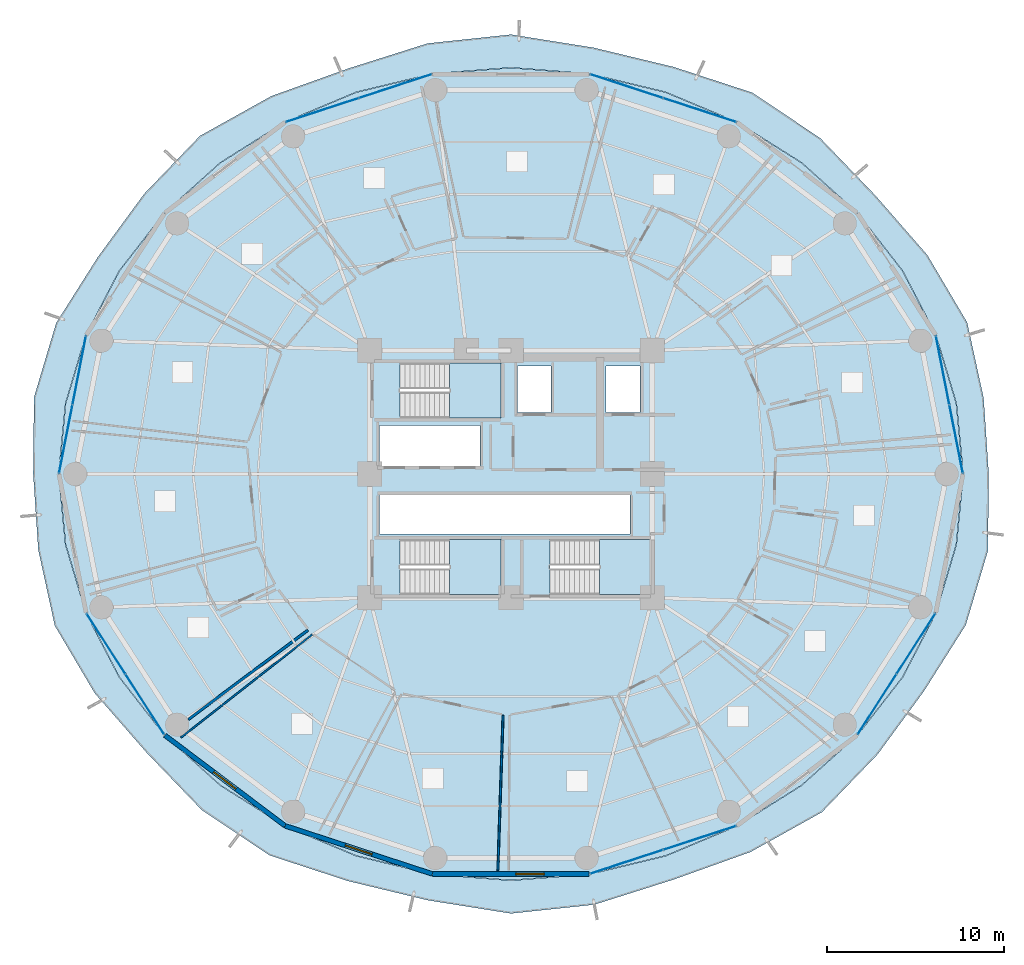
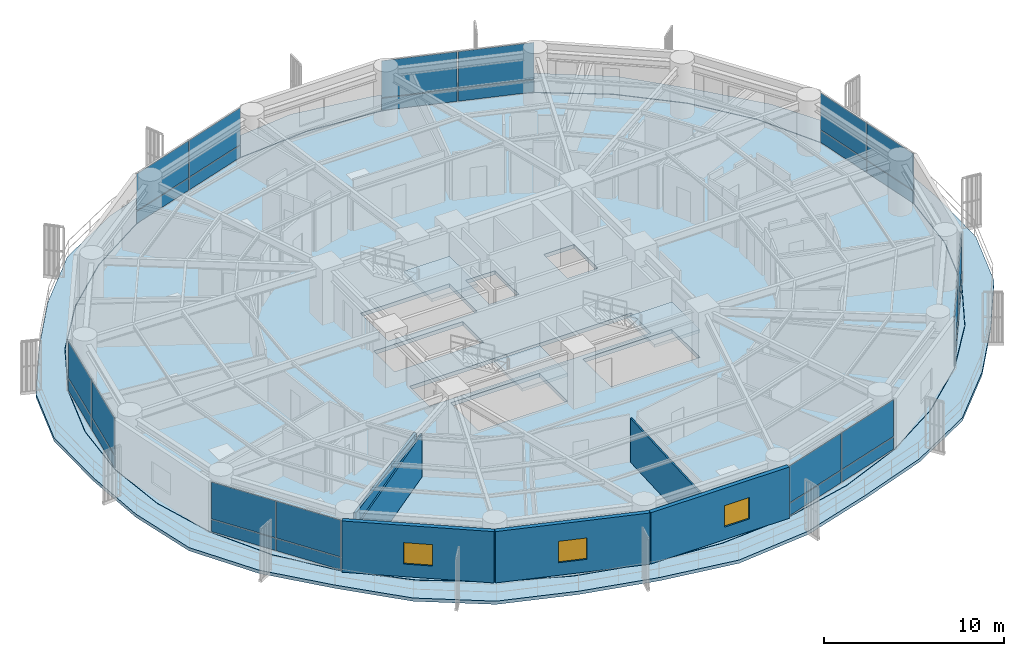
# One storey, part 26 of 36: 28 plates, 6 walls, 5 slabs, 3 windows, 3 openings, 10 elements without a shape of their own.
"""IFC4 building model written with IfcOpenShell, lengths in metres."""

from ifc_helpers import new_model, si_unit, direction, frame, frame_2d, origin, origin_2d, place, context, subcontext, project, spatial, polyline, rectangle, outline, extrude, source, transform, mapped, material, layer, layer_set, type_object, element, fill, aggregate, save


model = new_model("IFC4")

# Units and contexts
model_context = context("Model", 3, precision=1e-05, world=origin(), true_north=direction((0.0, 1.0)))
body_context = subcontext(model_context, "Body", "Model", "MODEL_VIEW")
ifc_project = project(units=[si_unit("LENGTHUNIT", "METRE"), si_unit("AREAUNIT", "SQUARE_METRE"), si_unit("VOLUMEUNIT", "CUBIC_METRE"), si_unit("PLANEANGLEUNIT", "RADIAN"), si_unit("MASSUNIT", "GRAM", prefix="KILO")], contexts=[model_context])

# Site, building, storey
site_placement = place(None, origin())
site = spatial("IfcSite", under=ifc_project, at=site_placement, CompositionType="ELEMENT")
building_placement = place(site_placement, origin())
building = spatial("IfcBuilding", under=site, at=building_placement, Name="Kelanora Arch Commons", CompositionType="ELEMENT")
storey_placement = place(building_placement, frame((0.0, 0.0, 98.85009765625)))
storey = spatial("IfcBuildingStorey", under=building, at=storey_placement, Name="L25", CompositionType="ELEMENT", Elevation=98.85009765625)

# Stair, slab
ifc_material_1 = material(Name="Concrete C40/50", Category="concrete")
stair_type = type_object("IfcStairType", Name="STR-DL-375", PredefinedType="HALF_TURN_STAIR", material=ifc_material_1)
stair_1_placement = place(storey_placement, origin())
stair_1 = element("IfcStair", 1, at=stair_1_placement, inside=storey, type_object=stair_type, Name="L25 ST-T1", PredefinedType="HALF_TURN_STAIR")
ifc_layer_1 = layer(ifc_material_1, 0.199951171875)
ifc_layer_set_1 = layer_set([ifc_layer_1], Name="Concrete C40/50")
slab_type_1 = type_object("IfcSlabType", Name="SLB-STAIR-LND", PredefinedType="LANDING", material=ifc_layer_set_1)
slab_1_placement = place(storey_placement, frame((0.0, 0.0, 1.6748046875)))
slab_1 = element("IfcSlab", 2, at=slab_1_placement, type_object=slab_type_1, Name="ST-T1 landing 1", PredefinedType="LANDING", context=body_context, shape_type="SweptSolid", body=[
    extrude(outline(polyline([(70.52001953125, 61.179931640625), (73.43994140625, 61.179931640625), (73.43994140625, 64.2900390625), (70.52001953125, 64.2900390625), (70.52001953125, 61.179931640625)])), origin(), (0.0, 0.0, 1.0), 0.2001953125),
])
aggregate(stair_1, [slab_1])

stair_2_placement = place(storey_placement, origin())
stair_2 = element("IfcStair", 3, at=stair_2_placement, inside=storey, type_object=stair_type, Name="L25 ST-T2", PredefinedType="HALF_TURN_STAIR")
slab_2_placement = place(storey_placement, frame((0.0, 0.0, 1.6748046875)))
slab_2 = element("IfcSlab", 4, at=slab_2_placement, type_object=slab_type_1, Name="ST-T2 landing 1", PredefinedType="LANDING", context=body_context, shape_type="SweptSolid", body=[
    extrude(outline(polyline([(79.0, 51.179931640625), (81.919921875, 51.179931640625), (81.919921875, 54.2900390625), (79.0, 54.2900390625), (79.0, 51.179931640625)])), origin(), (0.0, 0.0, 1.0), 0.2001953125),
])
aggregate(stair_2, [slab_2])

stair_3_placement = place(storey_placement, origin())
stair_3 = element("IfcStair", 5, at=stair_3_placement, inside=storey, type_object=stair_type, Name="L25 ST-T3", PredefinedType="HALF_TURN_STAIR")
slab_3_placement = place(storey_placement, frame((0.0, 0.0, 1.6748046875)))
slab_3 = element("IfcSlab", 6, at=slab_3_placement, type_object=slab_type_1, Name="ST-T3 landing 1", PredefinedType="LANDING", context=body_context, shape_type="SweptSolid", body=[
    extrude(outline(polyline([(70.52001953125, 51.179931640625), (73.43994140625, 51.179931640625), (73.43994140625, 54.2900390625), (70.52001953125, 54.2900390625), (70.52001953125, 51.179931640625)])), origin(), (0.0, 0.0, 1.0), 0.2001953125),
])
aggregate(stair_3, [slab_3])

# Slabs
ifc_layer_2 = layer(ifc_material_1, 0.260009765625)
ifc_layer_set_2 = layer_set([ifc_layer_2], Name="Concrete C40/50")
slab_type_2 = type_object("IfcSlabType", Name="SLB-TWR-TYP", PredefinedType="FLOOR", material=ifc_layer_set_2)
slab_4_placement = place(storey_placement, frame((0.0, 0.0, -0.260009765625)))
element("IfcSlab", 7, at=slab_4_placement, inside=storey, type_object=slab_type_2, Name="Tower Floor Slab L25", PredefinedType="FLOOR", context=body_context, shape_type="SweptSolid", body=[
    extrude(outline(polyline([(99.60009765625, 58.0), (99.211181640625, 61.993896484375), (98.05615234375, 65.866455078125), (96.17041015625, 69.5), (93.610595703125, 72.7841796875), (90.455322265625, 75.618896484375), (86.800048828125, 77.918701171875), (82.755615234375, 79.61279296875), (78.4453125, 80.650634765625), (74.0, 81.0), (69.5546875, 80.650634765625), (65.244384765625, 79.61279296875), (61.199951171875, 77.918701171875), (57.544677734375, 75.618896484375), (54.389404296875, 72.7841796875), (51.82958984375, 69.5), (49.94384765625, 65.866455078125), (48.788818359375, 61.993896484375), (48.39990234375, 58.0), (48.788818359375, 54.006103515625), (49.94384765625, 50.133544921875), (51.82958984375, 46.5), (54.389404296875, 43.2158203125), (57.544677734375, 40.381103515625), (61.199951171875, 38.081298828125), (65.244384765625, 36.38720703125), (69.5546875, 35.349365234375), (74.0, 35.0), (78.4453125, 35.349365234375), (82.755615234375, 36.38720703125), (86.800048828125, 38.081298828125), (90.455322265625, 40.381103515625), (93.610595703125, 43.2158203125), (96.17041015625, 46.5), (98.05615234375, 50.133544921875), (99.211181640625, 54.006103515625), (99.60009765625, 58.0)]), holes=[polyline([(73.431884765625, 51.18798828125), (67.72802734375, 51.18798828125), (67.72802734375, 54.281982421875), (73.431884765625, 54.281982421875), (73.431884765625, 51.18798828125)]), polyline([(76.2080078125, 51.18798828125), (76.2080078125, 54.281982421875), (81.912109375, 54.281982421875), (81.912109375, 51.18798828125), (76.2080078125, 51.18798828125)]), polyline([(66.550048828125, 54.60009765625), (66.550048828125, 56.800048828125), (80.75, 56.800048828125), (80.75, 54.60009765625), (66.550048828125, 54.60009765625)]), polyline([(66.550048828125, 58.449951171875), (66.550048828125, 60.75), (72.25, 60.75), (72.25, 58.449951171875), (66.550048828125, 58.449951171875)]), polyline([(67.72802734375, 61.18798828125), (67.72802734375, 64.281982421875), (73.431884765625, 64.281982421875), (73.431884765625, 61.18798828125), (67.72802734375, 61.18798828125)]), polyline([(74.3798828125, 61.47998046875), (74.3798828125, 64.1201171875), (76.260009765625, 64.1201171875), (76.260009765625, 61.47998046875), (74.3798828125, 61.47998046875)]), polyline([(79.3798828125, 61.47998046875), (79.3798828125, 64.1201171875), (81.320068359375, 64.1201171875), (81.320068359375, 61.47998046875), (79.3798828125, 61.47998046875)])]), origin(), (0.0, 0.0, 1.0), 0.260009765625),
])
ifc_layer_3 = layer(ifc_material_1, 0.219970703125)
ifc_layer_set_3 = layer_set([ifc_layer_3], Name="Concrete C40/50")
slab_type_3 = type_object("IfcSlabType", Name="SLB-WAVE-BAL", PredefinedType="FLOOR", material=ifc_layer_set_3)
slab_5_placement = place(storey_placement, frame((0.0, 0.0, -0.22021484375)))
element("IfcSlab", 8, at=slab_5_placement, inside=storey, type_object=slab_type_3, Name="Sinusoidal Wave Balcony Slab L25", PredefinedType="FLOOR", context=body_context, shape_type="SweptSolid", body=[
    extrude(outline(polyline([(101.054931640625, 58.0), (100.767333984375, 62.29931640625), (99.83349609375, 66.58642578125), (97.576416015625, 70.40380859375), (94.65234375, 73.757080078125), (91.51318359375, 77.02197265625), (87.66943359375, 79.594482421875), (83.225341796875, 81.048828125), (78.681884765625, 82.142822265625), (74.0, 82.887939453125), (69.27978515625, 82.385986328125), (64.80126953125, 80.9677734375), (60.430419921875, 79.40234375), (56.39013671875, 77.150390625), (53.22998046875, 73.86669921875), (50.605712890625, 70.28662109375), (48.24560546875, 66.554443359375), (46.990966796875, 62.3466796875), (46.945068359375, 58.0), (47.232666015625, 53.70068359375), (48.16650390625, 49.41357421875), (50.423583984375, 45.59619140625), (53.34765625, 42.242919921875), (56.48681640625, 38.97802734375), (60.33056640625, 36.405517578125), (64.774658203125, 34.951171875), (69.318115234375, 33.857177734375), (74.0, 33.112060546875), (78.72021484375, 33.614013671875), (83.19873046875, 35.0322265625), (87.569580078125, 36.59765625), (91.60986328125, 38.849609375), (94.77001953125, 42.13330078125), (97.394287109375, 45.71337890625), (99.75439453125, 49.445556640625), (101.009033203125, 53.6533203125), (101.054931640625, 58.0)]), holes=[polyline([(99.230712890625, 54.002685546875), (98.074951171875, 50.126708984375), (96.1875, 46.489990234375), (93.626220703125, 43.202880859375), (90.46826171875, 40.36572265625), (86.81005859375, 38.064208984375), (82.7626953125, 36.368408203125), (78.448974609375, 35.32958984375), (74.0, 34.97998046875), (69.551025390625, 35.32958984375), (65.2373046875, 36.368408203125), (61.18994140625, 38.064208984375), (57.53173828125, 40.36572265625), (54.373779296875, 43.202880859375), (51.8125, 46.489990234375), (49.925048828125, 50.126708984375), (48.769287109375, 54.002685546875), (48.3798828125, 58.0), (48.769287109375, 61.997314453125), (49.925048828125, 65.873291015625), (51.8125, 69.510009765625), (54.373779296875, 72.797119140625), (57.53173828125, 75.63427734375), (61.18994140625, 77.935791015625), (65.2373046875, 79.631591796875), (69.551025390625, 80.67041015625), (74.0, 81.02001953125), (78.448974609375, 80.67041015625), (82.7626953125, 79.631591796875), (86.81005859375, 77.935791015625), (90.46826171875, 75.63427734375), (93.626220703125, 72.797119140625), (96.1875, 69.510009765625), (98.074951171875, 65.873291015625), (99.230712890625, 61.997314453125), (99.6201171875, 58.0), (99.230712890625, 54.002685546875)])]), origin(), (0.0, 0.0, 1.0), 0.22021484375),
])

# Curtain wall, plates
ifc_material_2 = material(Name="Terracotta ceramic-fritted low-E glass and aluminium", Category="masonry")
ifc_layer_4 = layer(ifc_material_2, 0.159912109375)
ifc_layer_set_4 = layer_set([ifc_layer_4], Name="Terracotta ceramic-fritted low-E glass and aluminium")
curtain_wall_type = type_object("IfcCurtainWallType", Name="CW-SYS-01", PredefinedType="NOTDEFINED", material=ifc_layer_set_4)
curtain_wall_1_placement = place(storey_placement, origin())
curtain_wall_1 = element("IfcCurtainWall", 9, at=curtain_wall_1_placement, inside=storey, type_object=curtain_wall_type, Name="Unitised Curtain Wall L25-B00", PredefinedType="NOTDEFINED")
ifc_material_3 = material(Name="Terracotta ceramic-fritted double glazing", Category="masonry")
ifc_layer_5 = layer(ifc_material_3, 0.028076171875)
ifc_layer_set_5 = layer_set([ifc_layer_5], Name="Terracotta ceramic-fritted double glazing")
plate_type = type_object("IfcPlateType", Name="CWP-FRIT", PredefinedType="CURTAIN_PANEL", material=ifc_layer_set_5)
shared_shape_1 = source(origin(), body_context, "Body", "SweptSolid", [
    extrude(rectangle(XDim=3.9033203125, YDim=0.028076171875, at=origin_2d()), origin(), (0.0, 0.0, 1.0), 0.81005859375),
])
plate_1_placement = place(storey_placement, frame((99.209716796875, 59.98876953125, 0.059814453125), z_axis=(0.0, 0.0, 1.0), x_axis=(-0.192584916272, 0.981280311646, 0.0)))
plate_1 = element("IfcPlate", 10, at=plate_1_placement, type_object=plate_type, Name="CW-01 panel 1.1", PredefinedType="CURTAIN_PANEL", context=body_context, shape_type="MappedRepresentation", body=[
    mapped(shared_shape_1, transform((0.0, 0.0, 0.0), scale=1.0)),
])
plate_2_placement = place(storey_placement, frame((98.446533203125, 63.877685546875, 0.059814453125), z_axis=(0.0, 0.0, 1.0), x_axis=(-0.192584916272, 0.981280311646, 0.0)))
plate_2 = element("IfcPlate", 11, at=plate_2_placement, type_object=plate_type, Name="CW-01 panel 2.1", PredefinedType="CURTAIN_PANEL", context=body_context, shape_type="MappedRepresentation", body=[
    mapped(shared_shape_1, transform((0.0, 0.0, 0.0), scale=1.0)),
])

curtain_wall_2_placement = place(storey_placement, origin())
curtain_wall_2 = element("IfcCurtainWall", 12, at=curtain_wall_2_placement, inside=storey, type_object=curtain_wall_type, Name="Unitised Curtain Wall L25-B08", PredefinedType="NOTDEFINED")
plate_3_placement = place(storey_placement, frame((49.553466796875, 63.877685546875, 0.059814453125), z_axis=(0.0, 0.0, 1.0), x_axis=(-0.192584916272, -0.981280311646, 0.0)))
plate_3 = element("IfcPlate", 13, at=plate_3_placement, type_object=plate_type, Name="CW-01 panel 1.1", PredefinedType="CURTAIN_PANEL", context=body_context, shape_type="MappedRepresentation", body=[
    mapped(shared_shape_1, transform((0.0, 0.0, 0.0), scale=1.0)),
])
plate_4_placement = place(storey_placement, frame((48.790283203125, 59.98876953125, 0.059814453125), z_axis=(0.0, 0.0, 1.0), x_axis=(-0.192584916272, -0.981280311646, 0.0)))
plate_4 = element("IfcPlate", 14, at=plate_4_placement, type_object=plate_type, Name="CW-01 panel 2.1", PredefinedType="CURTAIN_PANEL", context=body_context, shape_type="MappedRepresentation", body=[
    mapped(shared_shape_1, transform((0.0, 0.0, 0.0), scale=1.0)),
])

# Plate
shared_shape_2 = source(origin(), body_context, "Body", "SweptSolid", [
    extrude(rectangle(XDim=3.9033203125, YDim=0.028076171875, at=origin_2d()), origin(), (0.0, 0.0, 1.0), 2.485107421875),
])
plate_5_placement = place(storey_placement, frame((99.209716796875, 59.98876953125, 0.9296875), z_axis=(0.0, 0.0, 1.0), x_axis=(-0.192584916272, 0.981280311646, 0.0)))
plate_5 = element("IfcPlate", 15, at=plate_5_placement, type_object=plate_type, Name="CW-01 panel 1.2", PredefinedType="CURTAIN_PANEL", context=body_context, shape_type="MappedRepresentation", body=[
    mapped(shared_shape_2, transform((0.0, 0.0, 0.0), scale=1.0)),
])

plate_6_placement = place(storey_placement, frame((98.446533203125, 63.877685546875, 0.9296875), z_axis=(0.0, 0.0, 1.0), x_axis=(-0.192584916272, 0.981280311646, 0.0)))
plate_6 = element("IfcPlate", 16, at=plate_6_placement, type_object=plate_type, Name="CW-01 panel 2.2", PredefinedType="CURTAIN_PANEL", context=body_context, shape_type="MappedRepresentation", body=[
    mapped(shared_shape_2, transform((0.0, 0.0, 0.0), scale=1.0)),
])

aggregate(curtain_wall_1, [plate_1, plate_5, plate_2, plate_6])

plate_7_placement = place(storey_placement, frame((49.553466796875, 63.877685546875, 0.9296875), z_axis=(0.0, 0.0, 1.0), x_axis=(-0.192584916272, -0.981280311646, 0.0)))
plate_7 = element("IfcPlate", 17, at=plate_7_placement, type_object=plate_type, Name="CW-01 panel 1.2", PredefinedType="CURTAIN_PANEL", context=body_context, shape_type="MappedRepresentation", body=[
    mapped(shared_shape_2, transform((0.0, 0.0, 0.0), scale=1.0)),
])

plate_8_placement = place(storey_placement, frame((48.790283203125, 59.98876953125, 0.9296875), z_axis=(0.0, 0.0, 1.0), x_axis=(-0.192584916272, -0.981280311646, 0.0)))
plate_8 = element("IfcPlate", 18, at=plate_8_placement, type_object=plate_type, Name="CW-01 panel 2.2", PredefinedType="CURTAIN_PANEL", context=body_context, shape_type="MappedRepresentation", body=[
    mapped(shared_shape_2, transform((0.0, 0.0, 0.0), scale=1.0)),
])

aggregate(curtain_wall_2, [plate_3, plate_7, plate_4, plate_8])

# Curtain wall, plates
curtain_wall_3_placement = place(storey_placement, origin())
curtain_wall_3 = element("IfcCurtainWall", 19, at=curtain_wall_3_placement, inside=storey, type_object=curtain_wall_type, Name="Unitised Curtain Wall L25-B03", PredefinedType="NOTDEFINED")
shared_shape_3 = source(origin(), body_context, "Body", "SweptSolid", [
    extrude(rectangle(XDim=4.2900390625, YDim=0.028076171875, at=origin_2d()), origin(), (0.0, 0.0, 1.0), 0.81005859375),
])
plate_9_placement = place(storey_placement, frame((84.68994140625, 78.608642578125, 0.059814453125), z_axis=(0.0, 0.0, 1.0), x_axis=(-0.950473795867, 0.31080470294, 0.0)))
plate_9 = element("IfcPlate", 20, at=plate_9_placement, type_object=plate_type, Name="CW-01 panel 1.1", PredefinedType="CURTAIN_PANEL", context=body_context, shape_type="MappedRepresentation", body=[
    mapped(shared_shape_3, transform((0.0, 0.0, 0.0), scale=1.0)),
])
plate_10_placement = place(storey_placement, frame((80.555419921875, 79.960693359375, 0.059814453125), z_axis=(0.0, 0.0, 1.0), x_axis=(-0.950473795867, 0.31080470294, 0.0)))
plate_10 = element("IfcPlate", 21, at=plate_10_placement, type_object=plate_type, Name="CW-01 panel 2.1", PredefinedType="CURTAIN_PANEL", context=body_context, shape_type="MappedRepresentation", body=[
    mapped(shared_shape_3, transform((0.0, 0.0, 0.0), scale=1.0)),
])

curtain_wall_4_placement = place(storey_placement, origin())
curtain_wall_4 = element("IfcCurtainWall", 22, at=curtain_wall_4_placement, inside=storey, type_object=curtain_wall_type, Name="Unitised Curtain Wall L25-B05", PredefinedType="NOTDEFINED")
plate_11_placement = place(storey_placement, frame((67.444580078125, 79.960693359375, 0.059814453125), z_axis=(0.0, 0.0, 1.0), x_axis=(-0.950473795867, -0.31080470294, 0.0)))
plate_11 = element("IfcPlate", 23, at=plate_11_placement, type_object=plate_type, Name="CW-01 panel 1.1", PredefinedType="CURTAIN_PANEL", context=body_context, shape_type="MappedRepresentation", body=[
    mapped(shared_shape_3, transform((0.0, 0.0, 0.0), scale=1.0)),
])
plate_12_placement = place(storey_placement, frame((63.31005859375, 78.608642578125, 0.059814453125), z_axis=(0.0, 0.0, 1.0), x_axis=(-0.950473795867, -0.31080470294, 0.0)))
plate_12 = element("IfcPlate", 24, at=plate_12_placement, type_object=plate_type, Name="CW-01 panel 2.1", PredefinedType="CURTAIN_PANEL", context=body_context, shape_type="MappedRepresentation", body=[
    mapped(shared_shape_3, transform((0.0, 0.0, 0.0), scale=1.0)),
])

curtain_wall_5_placement = place(storey_placement, origin())
curtain_wall_5 = element("IfcCurtainWall", 25, at=curtain_wall_5_placement, inside=storey, type_object=curtain_wall_type, Name="Unitised Curtain Wall L25-B14", PredefinedType="NOTDEFINED")
plate_13_placement = place(storey_placement, frame((80.555419921875, 36.039306640625, 0.059814453125), z_axis=(0.0, 0.0, 1.0), x_axis=(0.950473795867, 0.31080470294, 0.0)))
plate_13 = element("IfcPlate", 26, at=plate_13_placement, type_object=plate_type, Name="CW-01 panel 1.1", PredefinedType="CURTAIN_PANEL", context=body_context, shape_type="MappedRepresentation", body=[
    mapped(shared_shape_3, transform((0.0, 0.0, 0.0), scale=1.0)),
])
plate_14_placement = place(storey_placement, frame((84.68994140625, 37.391357421875, 0.059814453125), z_axis=(0.0, 0.0, 1.0), x_axis=(0.950473795867, 0.31080470294, 0.0)))
plate_14 = element("IfcPlate", 27, at=plate_14_placement, type_object=plate_type, Name="CW-01 panel 2.1", PredefinedType="CURTAIN_PANEL", context=body_context, shape_type="MappedRepresentation", body=[
    mapped(shared_shape_3, transform((0.0, 0.0, 0.0), scale=1.0)),
])

# Plate
shared_shape_4 = source(origin(), body_context, "Body", "SweptSolid", [
    extrude(rectangle(XDim=4.2900390625, YDim=0.028076171875, at=origin_2d()), origin(), (0.0, 0.0, 1.0), 2.485107421875),
])
plate_15_placement = place(storey_placement, frame((84.68994140625, 78.608642578125, 0.9296875), z_axis=(0.0, 0.0, 1.0), x_axis=(-0.950473795867, 0.31080470294, 0.0)))
plate_15 = element("IfcPlate", 28, at=plate_15_placement, type_object=plate_type, Name="CW-01 panel 1.2", PredefinedType="CURTAIN_PANEL", context=body_context, shape_type="MappedRepresentation", body=[
    mapped(shared_shape_4, transform((0.0, 0.0, 0.0), scale=1.0)),
])

plate_16_placement = place(storey_placement, frame((80.555419921875, 79.960693359375, 0.9296875), z_axis=(0.0, 0.0, 1.0), x_axis=(-0.950473795867, 0.31080470294, 0.0)))
plate_16 = element("IfcPlate", 29, at=plate_16_placement, type_object=plate_type, Name="CW-01 panel 2.2", PredefinedType="CURTAIN_PANEL", context=body_context, shape_type="MappedRepresentation", body=[
    mapped(shared_shape_4, transform((0.0, 0.0, 0.0), scale=1.0)),
])

aggregate(curtain_wall_3, [plate_9, plate_15, plate_10, plate_16])

plate_17_placement = place(storey_placement, frame((67.444580078125, 79.960693359375, 0.9296875), z_axis=(0.0, 0.0, 1.0), x_axis=(-0.950473795867, -0.31080470294, 0.0)))
plate_17 = element("IfcPlate", 30, at=plate_17_placement, type_object=plate_type, Name="CW-01 panel 1.2", PredefinedType="CURTAIN_PANEL", context=body_context, shape_type="MappedRepresentation", body=[
    mapped(shared_shape_4, transform((0.0, 0.0, 0.0), scale=1.0)),
])

plate_18_placement = place(storey_placement, frame((63.31005859375, 78.608642578125, 0.9296875), z_axis=(0.0, 0.0, 1.0), x_axis=(-0.950473795867, -0.31080470294, 0.0)))
plate_18 = element("IfcPlate", 31, at=plate_18_placement, type_object=plate_type, Name="CW-01 panel 2.2", PredefinedType="CURTAIN_PANEL", context=body_context, shape_type="MappedRepresentation", body=[
    mapped(shared_shape_4, transform((0.0, 0.0, 0.0), scale=1.0)),
])

aggregate(curtain_wall_4, [plate_11, plate_17, plate_12, plate_18])

plate_19_placement = place(storey_placement, frame((80.555419921875, 36.039306640625, 0.9296875), z_axis=(0.0, 0.0, 1.0), x_axis=(0.950473795867, 0.31080470294, 0.0)))
plate_19 = element("IfcPlate", 32, at=plate_19_placement, type_object=plate_type, Name="CW-01 panel 1.2", PredefinedType="CURTAIN_PANEL", context=body_context, shape_type="MappedRepresentation", body=[
    mapped(shared_shape_4, transform((0.0, 0.0, 0.0), scale=1.0)),
])

plate_20_placement = place(storey_placement, frame((84.68994140625, 37.391357421875, 0.9296875), z_axis=(0.0, 0.0, 1.0), x_axis=(0.950473795867, 0.31080470294, 0.0)))
plate_20 = element("IfcPlate", 33, at=plate_20_placement, type_object=plate_type, Name="CW-01 panel 2.2", PredefinedType="CURTAIN_PANEL", context=body_context, shape_type="MappedRepresentation", body=[
    mapped(shared_shape_4, transform((0.0, 0.0, 0.0), scale=1.0)),
])

aggregate(curtain_wall_5, [plate_13, plate_19, plate_14, plate_20])

# Curtain wall, plates
curtain_wall_6_placement = place(storey_placement, origin())
curtain_wall_6 = element("IfcCurtainWall", 34, at=curtain_wall_6_placement, inside=storey, type_object=curtain_wall_type, Name="Unitised Curtain Wall L25-B10", PredefinedType="NOTDEFINED")
shared_shape_5 = source(origin(), body_context, "Body", "SweptSolid", [
    extrude(rectangle(XDim=4.00634765625, YDim=0.028076171875, at=origin_2d()), origin(), (0.0, 0.0, 1.0), 0.81005859375),
])
plate_21_placement = place(storey_placement, frame((51.0673828125, 48.38525390625, 0.059814453125), z_axis=(0.0, 0.0, 1.0), x_axis=(0.540616931244, -0.841268883088, 0.0)))
plate_21 = element("IfcPlate", 35, at=plate_21_placement, type_object=plate_type, Name="CW-01 panel 1.1", PredefinedType="CURTAIN_PANEL", context=body_context, shape_type="MappedRepresentation", body=[
    mapped(shared_shape_5, transform((0.0, 0.0, 0.0), scale=1.0)),
])
plate_22_placement = place(storey_placement, frame((53.265869140625, 44.964111328125, 0.059814453125), z_axis=(0.0, 0.0, 1.0), x_axis=(0.540616931244, -0.841268883088, 0.0)))
plate_22 = element("IfcPlate", 36, at=plate_22_placement, type_object=plate_type, Name="CW-01 panel 2.1", PredefinedType="CURTAIN_PANEL", context=body_context, shape_type="MappedRepresentation", body=[
    mapped(shared_shape_5, transform((0.0, 0.0, 0.0), scale=1.0)),
])

curtain_wall_7_placement = place(storey_placement, origin())
curtain_wall_7 = element("IfcCurtainWall", 37, at=curtain_wall_7_placement, inside=storey, type_object=curtain_wall_type, Name="Unitised Curtain Wall L25-B16", PredefinedType="NOTDEFINED")
plate_23_placement = place(storey_placement, frame((94.734130859375, 44.964111328125, 0.059814453125), z_axis=(0.0, 0.0, 1.0), x_axis=(0.540616931244, 0.841268883088, 0.0)))
plate_23 = element("IfcPlate", 38, at=plate_23_placement, type_object=plate_type, Name="CW-01 panel 1.1", PredefinedType="CURTAIN_PANEL", context=body_context, shape_type="MappedRepresentation", body=[
    mapped(shared_shape_5, transform((0.0, 0.0, 0.0), scale=1.0)),
])
plate_24_placement = place(storey_placement, frame((96.9326171875, 48.38525390625, 0.059814453125), z_axis=(0.0, 0.0, 1.0), x_axis=(0.540616931244, 0.841268883088, 0.0)))
plate_24 = element("IfcPlate", 39, at=plate_24_placement, type_object=plate_type, Name="CW-01 panel 2.1", PredefinedType="CURTAIN_PANEL", context=body_context, shape_type="MappedRepresentation", body=[
    mapped(shared_shape_5, transform((0.0, 0.0, 0.0), scale=1.0)),
])

# Plate
shared_shape_6 = source(origin(), body_context, "Body", "SweptSolid", [
    extrude(rectangle(XDim=4.00634765625, YDim=0.028076171875, at=origin_2d()), origin(), (0.0, 0.0, 1.0), 2.485107421875),
])
plate_25_placement = place(storey_placement, frame((51.0673828125, 48.38525390625, 0.9296875), z_axis=(0.0, 0.0, 1.0), x_axis=(0.540616931244, -0.841268883088, 0.0)))
plate_25 = element("IfcPlate", 40, at=plate_25_placement, type_object=plate_type, Name="CW-01 panel 1.2", PredefinedType="CURTAIN_PANEL", context=body_context, shape_type="MappedRepresentation", body=[
    mapped(shared_shape_6, transform((0.0, 0.0, 0.0), scale=1.0)),
])

plate_26_placement = place(storey_placement, frame((53.265869140625, 44.964111328125, 0.9296875), z_axis=(0.0, 0.0, 1.0), x_axis=(0.540616931244, -0.841268883088, 0.0)))
plate_26 = element("IfcPlate", 41, at=plate_26_placement, type_object=plate_type, Name="CW-01 panel 2.2", PredefinedType="CURTAIN_PANEL", context=body_context, shape_type="MappedRepresentation", body=[
    mapped(shared_shape_6, transform((0.0, 0.0, 0.0), scale=1.0)),
])

aggregate(curtain_wall_6, [plate_21, plate_25, plate_22, plate_26])

plate_27_placement = place(storey_placement, frame((94.734130859375, 44.964111328125, 0.9296875), z_axis=(0.0, 0.0, 1.0), x_axis=(0.540616931244, 0.841268883088, 0.0)))
plate_27 = element("IfcPlate", 42, at=plate_27_placement, type_object=plate_type, Name="CW-01 panel 1.2", PredefinedType="CURTAIN_PANEL", context=body_context, shape_type="MappedRepresentation", body=[
    mapped(shared_shape_6, transform((0.0, 0.0, 0.0), scale=1.0)),
])

plate_28_placement = place(storey_placement, frame((96.9326171875, 48.38525390625, 0.9296875), z_axis=(0.0, 0.0, 1.0), x_axis=(0.540616931244, 0.841268883088, 0.0)))
plate_28 = element("IfcPlate", 43, at=plate_28_placement, type_object=plate_type, Name="CW-01 panel 2.2", PredefinedType="CURTAIN_PANEL", context=body_context, shape_type="MappedRepresentation", body=[
    mapped(shared_shape_6, transform((0.0, 0.0, 0.0), scale=1.0)),
])

aggregate(curtain_wall_7, [plate_23, plate_27, plate_24, plate_28])

# Wall
ifc_material_4 = material(Name="Autoclaved aerated concrete blockwork with fire plaster", Category="masonry")
ifc_layer_6 = layer(ifc_material_4, 0.14990234375)
ifc_layer_set_6 = layer_set([ifc_layer_6], Name="Autoclaved aerated concrete blockwork with fire plaster")
wall_type_1 = type_object("IfcWallType", Name="W-COMP-150", PredefinedType="PARTITIONING", material=ifc_layer_set_6)
wall_1_placement = place(storey_placement, frame((62.5048828125, 49.16015625, 0.0), z_axis=(0.0, 0.0, 1.0), x_axis=(-0.801231684565, -0.598354232582, 0.0)))
element("IfcWall", 44, at=wall_1_placement, inside=storey, type_object=wall_type_1, Name="Co-Living Studio L25-09 Enclosure Partition 2", PredefinedType="PARTITIONING", context=body_context, shape_type="SweptSolid", body=[
    extrude(rectangle(XDim=8.456298828125, YDim=0.14990234375, at=frame_2d((4.22802734375, 0.0))), origin(), (0.0, 0.0, 1.0), 2.9248046875),
])

# Wall, opening, window
ifc_material_5 = material(Name="Precast concrete C40/50 with terracotta rainscreen", Category="masonry")
ifc_layer_7 = layer(ifc_material_5, 0.260009765625)
ifc_layer_set_7 = layer_set([ifc_layer_7], Name="Precast concrete C40/50 with terracotta rainscreen")
wall_type_2 = type_object("IfcWallType", Name="W-EXT-TC", PredefinedType="SOLIDWALL", material=ifc_layer_set_7)
wall_2_placement = place(storey_placement, frame((54.4013671875, 43.206787109375, 0.0), z_axis=(0.0, 0.0, 1.0), x_axis=(0.798501507879, -0.601992808857, 0.0)))
wall_2 = element("IfcWall", 45, at=wall_2_placement, inside=storey, type_object=wall_type_2, Name="Terracotta Exterior Wall L25-B11", PredefinedType="SOLIDWALL", context=body_context, shape_type="SweptSolid", body=[
    extrude(rectangle(XDim=8.499267578125, YDim=0.260009765625, at=frame_2d((4.24951171875, 0.0))), origin(), (0.0, 0.0, 1.0), 3.474853515625),
])
opening_1_placement = place(wall_2_placement, frame((3.449951171875, 0.0, 0.85009765625)))
opening_1 = element("IfcOpeningElement", 46, at=opening_1_placement, cuts=wall_2, Name="Opening WN-01", PredefinedType="OPENING", context=body_context, shape_type="SweptSolid", body=[
    extrude(rectangle(XDim=1.60009765625, YDim=1.449951171875, at=frame_2d((0.800048828125, 0.72509765625))), frame((0.0, 0.14013671875, 0.0), z_axis=(0.0, -1.0, 0.0), x_axis=(1.0, 0.0, 0.0)), (0.0, 0.0, 1.0), 0.280029296875),
])
ifc_material_6 = material(Name="Terracotta-anodised aluminium frame with operable low-E glazing", Category="masonry")
window_type = type_object("IfcWindowType", Name="WIN-CL-18", PartitioningType="DOUBLE_PANEL_VERTICAL", PredefinedType="WINDOW", material=ifc_material_6)
window_1_placement = place(opening_1_placement, origin())
window_1 = element("IfcWindow", 47, at=window_1_placement, inside=storey, type_object=window_type, Name="Co-Living Operable Window L25-B11", OverallHeight=1.449951171875, OverallWidth=1.60009765625, PartitioningType="SINGLE_PANEL", PredefinedType="WINDOW", context=body_context, shape_type="SweptSolid", body=[
    extrude(rectangle(XDim=1.60009765625, YDim=1.449951171875, at=frame_2d((0.800048828125, 0.72509765625))), frame((0.0, 0.030029296875, 0.0), z_axis=(0.0, -1.0, 0.0), x_axis=(1.0, 0.0, 0.0)), (0.0, 0.0, 1.0), 0.06005859375),
])
fill(opening_1, window_1)

wall_3_placement = place(storey_placement, frame((61.21435546875, 38.07666015625, 0.0), z_axis=(0.0, 0.0, 1.0), x_axis=(0.950471101963, -0.310812941064, 0.0)))
wall_3 = element("IfcWall", 48, at=wall_3_placement, inside=storey, type_object=wall_type_2, Name="Terracotta Exterior Wall L25-B12", PredefinedType="SOLIDWALL", context=body_context, shape_type="SweptSolid", body=[
    extrude(rectangle(XDim=8.759765625, YDim=0.260009765625, at=frame_2d((4.3798828125, 0.0))), origin(), (0.0, 0.0, 1.0), 3.474853515625),
])
opening_2_placement = place(wall_3_placement, frame((3.580078125, 0.0, 0.85009765625)))
opening_2 = element("IfcOpeningElement", 49, at=opening_2_placement, cuts=wall_3, Name="Opening WN-01", PredefinedType="OPENING", context=body_context, shape_type="SweptSolid", body=[
    extrude(rectangle(XDim=1.60009765625, YDim=1.449951171875, at=frame_2d((0.800048828125, 0.72509765625))), frame((0.0, 0.14013671875, 0.0), z_axis=(0.0, -1.0, 0.0), x_axis=(1.0, 0.0, 0.0)), (0.0, 0.0, 1.0), 0.280029296875),
])
window_2_placement = place(opening_2_placement, origin())
window_2 = element("IfcWindow", 50, at=window_2_placement, inside=storey, type_object=window_type, Name="Co-Living Operable Window L25-B12", OverallHeight=1.449951171875, OverallWidth=1.60009765625, PartitioningType="SINGLE_PANEL", PredefinedType="WINDOW", context=body_context, shape_type="SweptSolid", body=[
    extrude(rectangle(XDim=1.60009765625, YDim=1.449951171875, at=frame_2d((0.800048828125, 0.72509765625))), frame((0.0, 0.030029296875, 0.0), z_axis=(0.0, -1.0, 0.0), x_axis=(1.0, 0.0, 0.0)), (0.0, 0.0, 1.0), 0.06005859375),
])
fill(opening_2, window_2)

wall_4_placement = place(storey_placement, frame((69.569580078125, 35.349365234375, 0.0), z_axis=(0.0, 0.0, 1.0), x_axis=(1.0, 0.0, 0.0)))
wall_4 = element("IfcWall", 51, at=wall_4_placement, inside=storey, type_object=wall_type_2, Name="Terracotta Exterior Wall L25-B13", PredefinedType="SOLIDWALL", context=body_context, shape_type="SweptSolid", body=[
    extrude(rectangle(XDim=8.86083984375, YDim=0.260009765625, at=frame_2d((4.430419921875, 0.0))), origin(), (0.0, 0.0, 1.0), 3.474853515625),
])
opening_3_placement = place(wall_4_placement, frame((4.7099609375, 0.0, 0.85009765625)))
opening_3 = element("IfcOpeningElement", 52, at=opening_3_placement, cuts=wall_4, Name="Opening WN-01", PredefinedType="OPENING", context=body_context, shape_type="SweptSolid", body=[
    extrude(rectangle(XDim=1.60009765625, YDim=1.449951171875, at=frame_2d((0.800048828125, 0.72509765625))), frame((0.0, 0.14013671875, 0.0), z_axis=(0.0, -1.0, 0.0), x_axis=(1.0, 0.0, 0.0)), (0.0, 0.0, 1.0), 0.280029296875),
])
window_3_placement = place(opening_3_placement, origin())
window_3 = element("IfcWindow", 53, at=window_3_placement, inside=storey, type_object=window_type, Name="Co-Living Operable Window L25-B13", OverallHeight=1.449951171875, OverallWidth=1.60009765625, PartitioningType="SINGLE_PANEL", PredefinedType="WINDOW", context=body_context, shape_type="SweptSolid", body=[
    extrude(rectangle(XDim=1.60009765625, YDim=1.449951171875, at=frame_2d((0.800048828125, 0.72509765625))), frame((0.0, 0.030029296875, 0.0), z_axis=(0.0, -1.0, 0.0), x_axis=(1.0, 0.0, 0.0)), (0.0, 0.0, 1.0), 0.06005859375),
])
fill(opening_3, window_3)

# Walls
ifc_material_7 = material(Name="Lightweight fire-rated acoustic stud partition")
ifc_layer_8 = layer(ifc_material_7, 0.10009765625)
ifc_layer_set_8 = layer_set([ifc_layer_8], Name="Lightweight fire-rated acoustic stud partition")
wall_type_3 = type_object("IfcWallType", Name="W-PART-100", PredefinedType="PARTITIONING", material=ifc_layer_set_8)
wall_5_placement = place(storey_placement, frame((55.305419921875, 43.07080078125, 0.0), z_axis=(0.0, 0.0, 1.0), x_axis=(0.78679196563, 0.6172182781, 0.0)))
element("IfcWall", 54, at=wall_5_placement, inside=storey, type_object=wall_type_3, Name="Communal Dining and Social Hall L25-10 Enclosure Partition 4", PredefinedType="PARTITIONING", context=body_context, shape_type="SweptSolid", body=[
    extrude(rectangle(XDim=9.45751953125, YDim=0.10009765625, at=frame_2d((4.728759765625, 0.0))), origin(), (0.0, 0.0, 1.0), 2.9248046875),
])
wall_6_placement = place(storey_placement, frame((73.552734375, 44.3359375, 0.0), z_axis=(0.0, 0.0, 1.0), x_axis=(-0.033680921614, -0.999432636809, 0.0)))
element("IfcWall", 55, at=wall_6_placement, inside=storey, type_object=wall_type_3, Name="Quiet Seminar Study Room L25-11 Enclosure Partition 2", PredefinedType="PARTITIONING", context=body_context, shape_type="SweptSolid", body=[
    extrude(rectangle(XDim=8.770751953125, YDim=0.10009765625, at=frame_2d((4.38525390625, 0.0))), origin(), (0.0, 0.0, 1.0), 2.974853515625),
])

save(model, "model.ifc")
